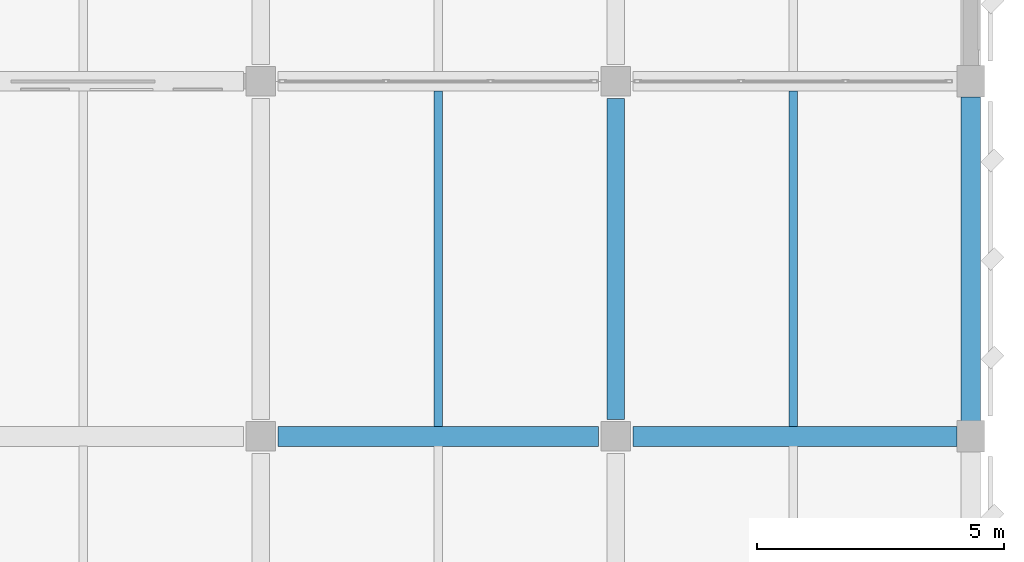
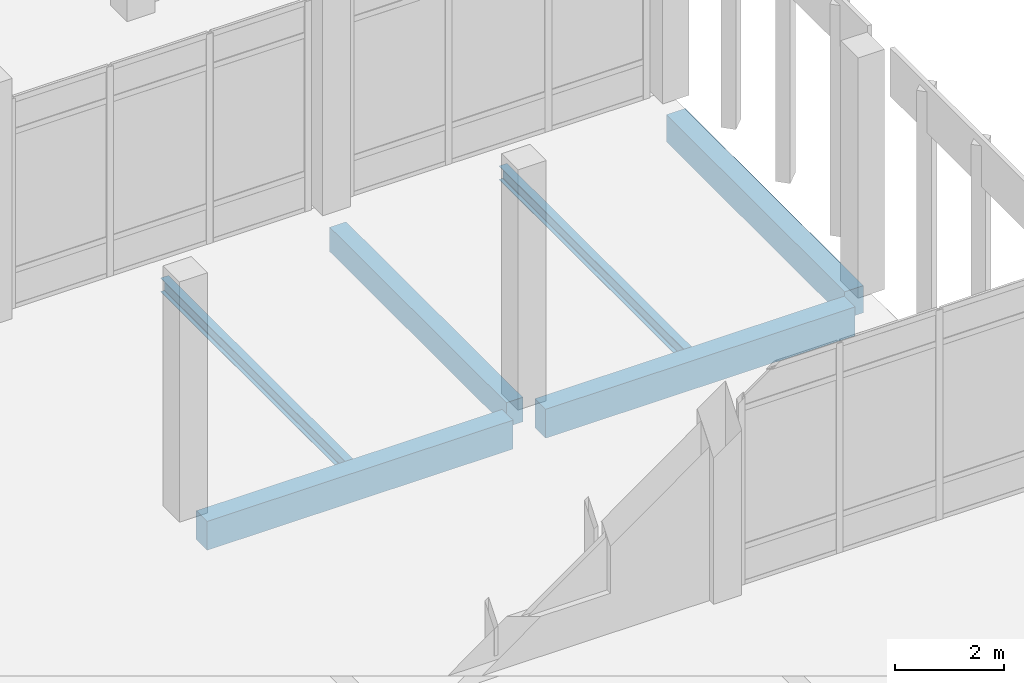
# One storey, part 124 of 180: 6 beams.
"""IFC4 building model written with IfcOpenShell, lengths in metres."""

from ifc_helpers import new_model, si_unit, direction, frame, origin, origin_2d, place, context, subcontext, project, spatial, rectangle, i_section, extrude, material, material_profile, profile_set, type_object, element, save


model = new_model("IFC4")

# Units and contexts
model_context = context("Model", 3, precision=1e-05, world=origin(), true_north=direction((0.0, 1.0)))
body_context = subcontext(model_context, "Body", "Model", "MODEL_VIEW")
ifc_project = project(units=[si_unit("LENGTHUNIT", "METRE"), si_unit("AREAUNIT", "SQUARE_METRE"), si_unit("VOLUMEUNIT", "CUBIC_METRE"), si_unit("PLANEANGLEUNIT", "RADIAN"), si_unit("MASSUNIT", "GRAM", prefix="KILO")], contexts=[model_context])

# Site, building, storey
site_placement = place(None, origin())
site = spatial("IfcSite", under=ifc_project, at=site_placement, CompositionType="ELEMENT")
building_placement = place(site_placement, origin())
building = spatial("IfcBuilding", under=site, at=building_placement, Name="Lusvemor Sports Hall", CompositionType="ELEMENT")
storey_placement = place(building_placement, frame((0.0, 0.0, 5.39990234375)))
storey = spatial("IfcBuildingStorey", under=building, at=storey_placement, Name="L01", CompositionType="ELEMENT", Elevation=5.39990234375)

# Beams
ifc_material_1 = material(Name="Concrete C40/50", Category="concrete")
ifc_material_profile_1 = material_profile(ifc_material_1, rectangle(XDim=0.35009765625, YDim=0.550048828125, at=origin_2d()), Name="RC350x550")
ifc_profile_set_1 = profile_set([ifc_material_profile_1], Name="Concrete C40/50")
beam_type_1 = type_object("IfcBeamType", Name="BEAM_RC_550", PredefinedType="BEAM", material=ifc_profile_set_1)
beam_1_placement = place(storey_placement, frame((162.0, 90.345947265625, -0.544921875), z_axis=(0.0, 1.0, 0.0), x_axis=(-1.0, 0.0, 0.0)))
element("IfcBeam", 1, at=beam_1_placement, inside=storey, type_object=beam_type_1, Name="Beam L01 19:M-N", PredefinedType="BEAM", context=body_context, shape_type="SweptSolid", body=[
    extrude(rectangle(XDim=0.35009765625, YDim=0.550048828125, at=origin_2d()), origin(), (0.0, 0.0, 1.0), 6.508056640625),
])
ifc_material_2 = material(Name="Concrete C40/50", Category="concrete")
ifc_material_profile_2 = material_profile(ifc_material_2, rectangle(XDim=0.39990234375, YDim=0.64990234375, at=origin_2d()), Name="RC400x650")
ifc_profile_set_2 = profile_set([ifc_material_profile_2], Name="Concrete C40/50")
beam_type_2 = type_object("IfcBeamType", Name="BEAM_RC_650", PredefinedType="BEAM", material=ifc_profile_set_2)
beam_2_placement = place(storey_placement, frame((155.14599609375, 90.0, -0.594970703125), z_axis=(1.0, 0.0, 0.0), x_axis=(0.0, 1.0, 0.0)))
element("IfcBeam", 2, at=beam_2_placement, inside=storey, type_object=beam_type_2, Name="Beam L01 M:18-19", PredefinedType="BEAM", context=body_context, shape_type="SweptSolid", body=[
    extrude(rectangle(XDim=0.39990234375, YDim=0.64990234375, at=origin_2d()), origin(), (0.0, 0.0, 1.0), 6.508056640625),
])
beam_3_placement = place(storey_placement, frame((162.345947265625, 90.0, -0.594970703125), z_axis=(1.0, 0.0, 0.0), x_axis=(0.0, 1.0, 0.0)))
element("IfcBeam", 3, at=beam_3_placement, inside=storey, type_object=beam_type_2, Name="Beam L01 M:19-20", PredefinedType="BEAM", context=body_context, shape_type="SweptSolid", body=[
    extrude(rectangle(XDim=0.39990234375, YDim=0.64990234375, at=origin_2d()), origin(), (0.0, 0.0, 1.0), 6.578125),
])
ifc_material_3 = material(Name="Steel S355", Category="steel")
ifc_material_profile_3 = material_profile(ifc_material_3, i_section(OverallWidth=0.1669921875, OverallDepth=0.31689453125, WebThickness=0.007568359375, FlangeThickness=0.01318359375, FilletRadius=0.014892578125, at=origin_2d()), Name="W310x52.0")
ifc_profile_set_3 = profile_set([ifc_material_profile_3], Name="Steel S355")
beam_type_3 = type_object("IfcBeamType", Name="JOIST_ST_310M", PredefinedType="JOIST", material=ifc_profile_set_3)
for number, where, z_axis, x_axis, name in (
    (4, (158.39990234375, 90.196044921875, -0.432373046875), (0.0, 1.0, 0.0), (-1.0, 0.0, 0.0), "Secondary Joist L01 18-19/M-N #1"),
    (5, (165.60009765625, 90.196044921875, -0.432373046875), (0.0, 1.0, 0.0), (-1.0, 0.0, 0.0), "Secondary Joist L01 19-20/M-N #1"),
):
    element("IfcBeam", number, at=place(storey_placement, frame(where, z_axis=z_axis, x_axis=x_axis)), inside=storey, type_object=beam_type_3, Name=name, PredefinedType="JOIST", context=body_context, shape_type="SweptSolid", body=[
        extrude(i_section(OverallWidth=0.1669921875, OverallDepth=0.31689453125, WebThickness=0.007568359375, FlangeThickness=0.01318359375, FilletRadius=0.014892578125, at=origin_2d()), origin(), (0.0, 0.0, 1.0), 6.807861328125),
    ])
ifc_material_4 = material(Name="Concrete C40/50", Category="concrete")
ifc_material_profile_4 = material_profile(ifc_material_4, rectangle(XDim=0.39990234375, YDim=0.610107421875, at=origin_2d()), Name="RC400x610")
ifc_profile_set_4 = profile_set([ifc_material_profile_4], Name="Concrete C40/50")
beam_type_4 = type_object("IfcBeamType", Name="SPAND_EXT_650", PredefinedType="SPANDREL", material=ifc_profile_set_4)
beam_4_placement = place(storey_placement, frame((169.199951171875, 90.31591796875, -0.574951171875), z_axis=(0.0, 1.0, 0.0), x_axis=(-1.0, 0.0, 0.0)))
element("IfcBeam", 6, at=beam_4_placement, inside=storey, type_object=beam_type_4, Name="Beam L01 20:M-N", PredefinedType="SPANDREL", context=body_context, shape_type="SweptSolid", body=[
    extrude(rectangle(XDim=0.39990234375, YDim=0.610107421875, at=origin_2d()), origin(), (0.0, 0.0, 1.0), 6.568115234375),
])

save(model, "model.ifc")
